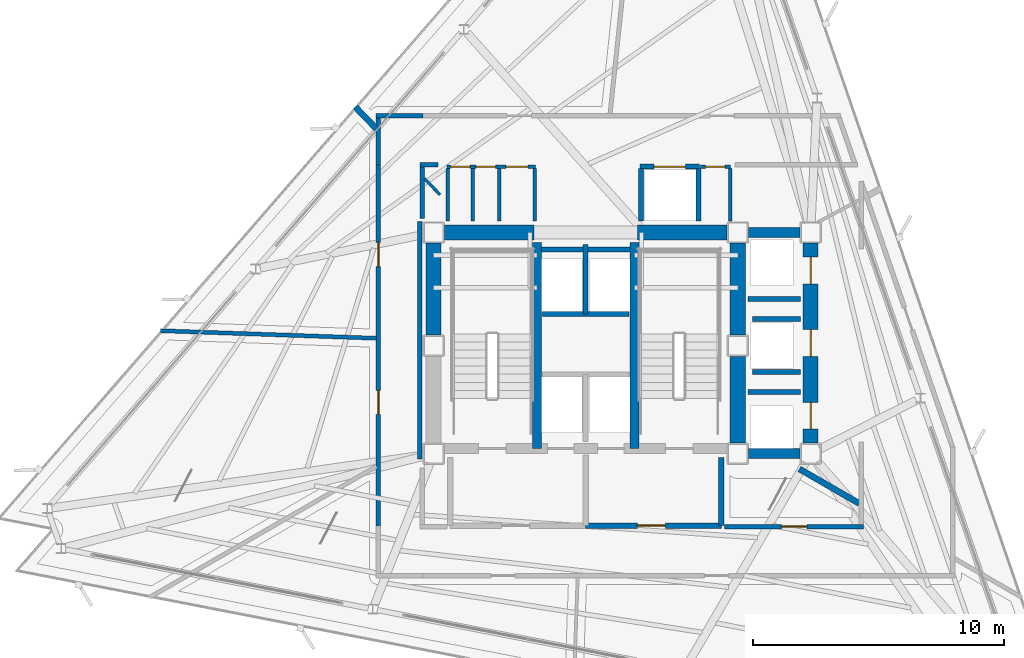
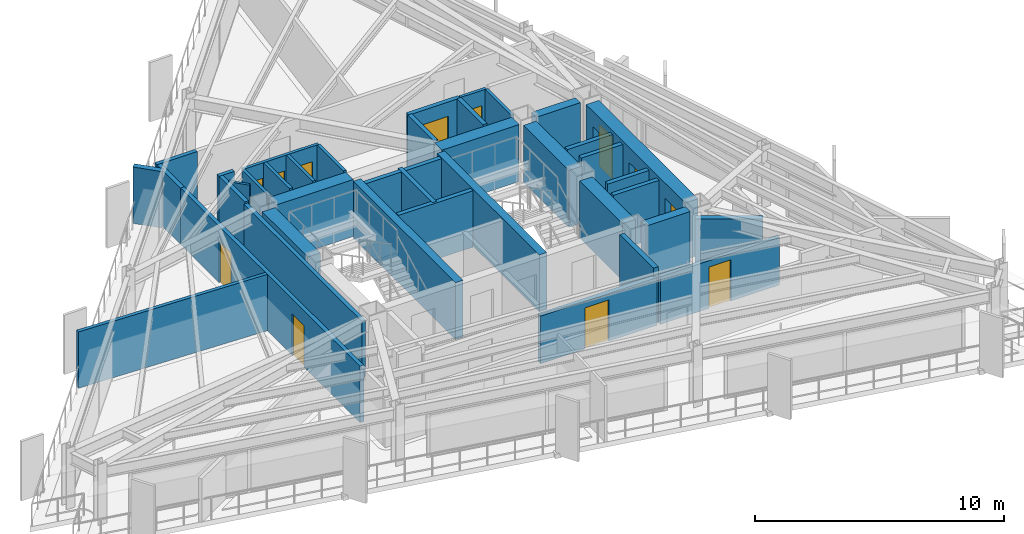
# One storey, part 9 of 13: 40 walls, 12 doors, 12 openings.
"""IFC4 building model written with IfcOpenShell, lengths in metres."""

from ifc_helpers import new_model, si_unit, direction, frame, frame_2d, origin, place, context, subcontext, project, spatial, rectangle, extrude, material, layer, layer_set, type_object, element, fill, save


model = new_model("IFC4")

# Units and contexts
model_context = context("Model", 3, precision=1e-05, world=origin(), true_north=direction((0.0, 1.0)))
body_context = subcontext(model_context, "Body", "Model", "MODEL_VIEW")
ifc_project = project(units=[si_unit("LENGTHUNIT", "METRE"), si_unit("AREAUNIT", "SQUARE_METRE"), si_unit("VOLUMEUNIT", "CUBIC_METRE"), si_unit("PLANEANGLEUNIT", "RADIAN"), si_unit("MASSUNIT", "GRAM", prefix="KILO")], contexts=[model_context])

# Site, building, storey
site_placement = place(None, origin())
site = spatial("IfcSite", under=ifc_project, at=site_placement, CompositionType="ELEMENT")
building_placement = place(site_placement, origin())
building = spatial("IfcBuilding", under=site, at=building_placement, Name="Rocaltana Carrier Exchange", CompositionType="ELEMENT")
storey_placement = place(building_placement, frame((0.0, 0.0, 162.39990234375)))
storey = spatial("IfcBuildingStorey", under=building, at=storey_placement, Name="L51", CompositionType="ELEMENT", Elevation=162.39990234375)

# Walls
ifc_material_1 = material(Name="Double Acoustic Gypsum Partition", Category="gypsum")
ifc_layer_1 = layer(ifc_material_1, 0.159912109375)
ifc_layer_set_1 = layer_set([ifc_layer_1], Name="Double Acoustic Gypsum Partition")
wall_type_1 = type_object("IfcWallType", Name="Acoustic Studio Partition 160 EI60", PredefinedType="PARTITIONING", material=ifc_layer_set_1)
wall_1_placement = place(storey_placement, frame((-8.330078125, 0.291015625, 0.0), z_axis=(0.0, 0.0, 1.0), x_axis=(-0.999390815976, 0.03489981294, 0.0)))
element("IfcWall", 1, at=wall_1_placement, inside=storey, type_object=wall_type_1, Name="L51 Suite Divider Wall D10", PredefinedType="PARTITIONING", context=body_context, shape_type="SweptSolid", body=[
    extrude(rectangle(XDim=8.59033203125, YDim=0.159912109375, at=frame_2d((4.295166015625, 0.0))), origin(), (0.0, 0.0, 1.0), 2.76318359375),
])
ifc_material_2 = material(Name="Concrete C50/60", Category="concrete")
ifc_layer_2 = layer(ifc_material_2, 0.35009765625)
ifc_layer_set_2 = layer_set([ifc_layer_2], Name="Concrete C50/60")
wall_type_2 = type_object("IfcWallType", Name="Core Internal Shear Wall 350", PredefinedType="SHEAR", material=ifc_layer_set_2)
for number, where, z_axis, x_axis, name in (
    (2, (-1.93994140625, -4.10009765625, 0.0), (0.0, 0.0, 1.0), (0.0, 1.0, 0.0), "L51 Core Shear Wall CW-STW"),
    (3, (1.93994140625, -4.10009765625, 0.0), (0.0, 0.0, 1.0), (0.0, 1.0, 0.0), "L51 Core Shear Wall CW-STE"),
):
    element("IfcWall", number, at=place(storey_placement, frame(where, z_axis=z_axis, x_axis=x_axis)), inside=storey, type_object=wall_type_2, Name=name, PredefinedType="SHEAR", context=body_context, shape_type="SweptSolid", body=[
        extrude(rectangle(XDim=8.2001953125, YDim=0.35009765625, at=frame_2d((4.10009765625, 0.0))), origin(), (0.0, 0.0, 1.0), 2.7880859375),
    ])
ifc_material_3 = material(Name="Concrete C50/60", Category="concrete")
ifc_layer_3 = layer(ifc_material_3, 0.39990234375)
ifc_layer_set_3 = layer_set([ifc_layer_3], Name="Concrete C50/60")
wall_type_3 = type_object("IfcWallType", Name="Core Internal Shear Wall 400", PredefinedType="SHEAR", material=ifc_layer_set_3)
for number, where, z_axis, x_axis, name in (
    (4, (6.47509765625, 4.5, 0.0), (0.0, 0.0, 1.0), (1.0, 0.0, 0.0), "L51 Core Shear Wall CW-EWN"),
    (5, (6.47509765625, -4.300048828125, 0.0), (0.0, 0.0, 1.0), (1.0, 0.0, 0.0), "L51 Core Shear Wall CW-EWS"),
):
    element("IfcWall", number, at=place(storey_placement, frame(where, z_axis=z_axis, x_axis=x_axis)), inside=storey, type_object=wall_type_3, Name=name, PredefinedType="SHEAR", context=body_context, shape_type="SweptSolid", body=[
        extrude(rectangle(XDim=2.0498046875, YDim=0.39990234375, at=frame_2d((1.02490234375, 0.0))), origin(), (0.0, 0.0, 1.0), 2.7880859375),
    ])
ifc_material_4 = material(Name="Concrete C50/60", Category="concrete")
ifc_layer_4 = layer(ifc_material_4, 0.60009765625)
ifc_layer_set_4 = layer_set([ifc_layer_4], Name="Concrete C50/60")
wall_type_4 = type_object("IfcWallType", Name="Core Shear Wall 600", PredefinedType="SHEAR", material=ifc_layer_set_4)
for number, where, z_axis, x_axis, name in (
    (6, (-6.050048828125, 0.425048828125, 0.0), (0.0, 0.0, 1.0), (0.0, 1.0, 0.0), "L51 Core Shear Wall CW-WN"),
    (7, (6.050048828125, 0.425048828125, 0.0), (0.0, 0.0, 1.0), (0.0, 1.0, 0.0), "L51 Core Shear Wall CW-EN"),
):
    element("IfcWall", number, at=place(storey_placement, frame(where, z_axis=z_axis, x_axis=x_axis)), inside=storey, type_object=wall_type_4, Name=name, PredefinedType="SHEAR", context=body_context, shape_type="SweptSolid", body=[
        extrude(rectangle(XDim=3.64990234375, YDim=0.60009765625, at=frame_2d((1.824951171875, 0.0))), origin(), (0.0, 0.0, 1.0), 2.7880859375),
    ])
wall_2_placement = place(storey_placement, frame((6.050048828125, -3.875, 0.0), z_axis=(0.0, 0.0, 1.0), x_axis=(0.0, 1.0, 0.0)))
element("IfcWall", 8, at=wall_2_placement, inside=storey, type_object=wall_type_4, Name="L51 Core Shear Wall CW-ES", PredefinedType="SHEAR", context=body_context, shape_type="SweptSolid", body=[
    extrude(rectangle(XDim=3.449951171875, YDim=0.60009765625, at=frame_2d((1.72509765625, 0.0))), origin(), (0.0, 0.0, 1.0), 2.7880859375),
])
for number, where, z_axis, x_axis, name in (
    (9, (-5.625, 4.5, 0.0), (0.0, 0.0, 1.0), (1.0, 0.0, 0.0), "L51 Core Shear Wall CW-N1"),
    (10, (2.050048828125, 4.5, 0.0), (0.0, 0.0, 1.0), (1.0, 0.0, 0.0), "L51 Core Shear Wall CW-N2"),
):
    element("IfcWall", number, at=place(storey_placement, frame(where, z_axis=z_axis, x_axis=x_axis)), inside=storey, type_object=wall_type_4, Name=name, PredefinedType="SHEAR", context=body_context, shape_type="SweptSolid", body=[
        extrude(rectangle(XDim=3.574951171875, YDim=0.60009765625, at=frame_2d((1.78759765625, 0.0))), origin(), (0.0, 0.0, 1.0), 2.7880859375),
    ])

# Wall, openings, doors
wall_3_placement = place(storey_placement, frame((8.949951171875, -3.875, 0.0), z_axis=(0.0, 0.0, 1.0), x_axis=(0.0, 1.0, 0.0)))
wall_3 = element("IfcWall", 11, at=wall_3_placement, inside=storey, type_object=wall_type_4, Name="L51 Core Shear Wall CW-EW", PredefinedType="SHEAR", context=body_context, shape_type="SweptSolid", body=[
    extrude(rectangle(XDim=7.949951171875, YDim=0.60009765625, at=frame_2d((3.97509765625, 0.0))), origin(), (0.0, 0.0, 1.0), 2.7880859375),
])
opening_1_placement = place(wall_3_placement, frame((0.550048828125, 0.0, 0.0)))
opening_1 = element("IfcOpeningElement", 12, at=opening_1_placement, cuts=wall_3, Name="Opening LD-110", PredefinedType="OPENING", context=body_context, shape_type="SweptSolid", body=[
    extrude(rectangle(XDim=1.06005859375, YDim=2.0400390625, at=frame_2d((0.530029296875, 1.02001953125))), frame((0.0, 0.31005859375, 0.0), z_axis=(0.0, -1.0, 0.0), x_axis=(1.0, 0.0, 0.0)), (0.0, 0.0, 1.0), 0.6201171875),
])
opening_2_placement = place(wall_3_placement, frame((3.445068359375, 0.0, 0.0)))
opening_2 = element("IfcOpeningElement", 13, at=opening_2_placement, cuts=wall_3, Name="Opening LD-110", PredefinedType="OPENING", context=body_context, shape_type="SweptSolid", body=[
    extrude(rectangle(XDim=1.06005859375, YDim=2.0400390625, at=frame_2d((0.530029296875, 1.02001953125))), frame((0.0, 0.31005859375, 0.0), z_axis=(0.0, -1.0, 0.0), x_axis=(1.0, 0.0, 0.0)), (0.0, 0.0, 1.0), 0.6201171875),
])
opening_3_placement = place(wall_3_placement, frame((6.330078125, 0.0, 0.0)))
opening_3 = element("IfcOpeningElement", 14, at=opening_3_placement, cuts=wall_3, Name="Opening LD-110", PredefinedType="OPENING", context=body_context, shape_type="SweptSolid", body=[
    extrude(rectangle(XDim=1.06005859375, YDim=2.0400390625, at=frame_2d((0.530029296875, 1.02001953125))), frame((0.0, 0.31005859375, 0.0), z_axis=(0.0, -1.0, 0.0), x_axis=(1.0, 0.0, 0.0)), (0.0, 0.0, 1.0), 0.6201171875),
])
ifc_material_5 = material(Name="Brushed Stainless Sliding Door Leaf", Category="steel")
door_type_1 = type_object("IfcDoorType", Name="Lift Landing Sliding Door 1060x2040", OperationType="NOTDEFINED", PredefinedType="DOOR", material=ifc_material_5)
door_1_placement = place(opening_1_placement, origin())
door_1 = element("IfcDoor", 15, at=door_1_placement, inside=storey, type_object=door_type_1, Name="L51 Mid-Rise Lift PL-M1 Landing Door", OperationType="SLIDING_TO_LEFT", OverallHeight=2.0400390625, OverallWidth=1.06005859375, PredefinedType="DOOR", context=body_context, shape_type="SweptSolid", body=[
    extrude(rectangle(XDim=1.06005859375, YDim=2.0400390625, at=frame_2d((0.530029296875, 1.02001953125))), frame((0.0, 0.02490234375, 0.0), z_axis=(0.0, -1.0, 0.0), x_axis=(1.0, 0.0, 0.0)), (0.0, 0.0, 1.0), 0.050048828125),
])
fill(opening_1, door_1)
door_2_placement = place(opening_2_placement, origin())
door_2 = element("IfcDoor", 16, at=door_2_placement, inside=storey, type_object=door_type_1, Name="L51 Mid-Rise Lift PL-M2 Landing Door", OperationType="SLIDING_TO_RIGHT", OverallHeight=2.0400390625, OverallWidth=1.06005859375, PredefinedType="DOOR", context=body_context, shape_type="SweptSolid", body=[
    extrude(rectangle(XDim=1.06005859375, YDim=2.0400390625, at=frame_2d((0.530029296875, 1.02001953125))), frame((0.0, 0.02490234375, 0.0), z_axis=(0.0, -1.0, 0.0), x_axis=(1.0, 0.0, 0.0)), (0.0, 0.0, 1.0), 0.050048828125),
])
fill(opening_2, door_2)
door_3_placement = place(opening_3_placement, origin())
door_3 = element("IfcDoor", 17, at=door_3_placement, inside=storey, type_object=door_type_1, Name="L51 Mid-Rise Lift PL-M3 Landing Door", OperationType="SLIDING_TO_LEFT", OverallHeight=2.0400390625, OverallWidth=1.06005859375, PredefinedType="DOOR", context=body_context, shape_type="SweptSolid", body=[
    extrude(rectangle(XDim=1.06005859375, YDim=2.0400390625, at=frame_2d((0.530029296875, 1.02001953125))), frame((0.0, 0.02490234375, 0.0), z_axis=(0.0, -1.0, 0.0), x_axis=(1.0, 0.0, 0.0)), (0.0, 0.0, 1.0), 0.050048828125),
])
fill(opening_3, door_3)

ifc_material_6 = material(Name="Gypsum & Steel Stud Partition", Category="steel")
ifc_layer_5 = layer(ifc_material_6, 0.179931640625)
ifc_layer_set_5 = layer_set([ifc_layer_5], Name="Gypsum & Steel Stud Partition")
wall_type_5 = type_object("IfcWallType", Name="Corridor Fire Partition 180 EI60", PredefinedType="PARTITIONING", material=ifc_layer_set_5)
wall_4_placement = place(storey_placement, frame((-8.25, -7.219970703125, 0.0), z_axis=(0.0, 0.0, 1.0), x_axis=(0.0, 1.0, 0.0)))
wall_4 = element("IfcWall", 18, at=wall_4_placement, inside=storey, type_object=wall_type_5, Name="L51 Corridor Partition 3", PredefinedType="PARTITIONING", context=body_context, shape_type="SweptSolid", body=[
    extrude(rectangle(XDim=14.43994140625, YDim=0.179931640625, at=frame_2d((7.219970703125, 0.0))), origin(), (0.0, 0.0, 1.0), 2.76318359375),
])
opening_4_placement = place(wall_4_placement, frame((4.478271484375, 0.0, 0.0)))
opening_4 = element("IfcOpeningElement", 19, at=opening_4_placement, cuts=wall_4, Name="Opening D-RM098", PredefinedType="OPENING", context=body_context, shape_type="SweptSolid", body=[
    extrude(rectangle(XDim=0.9599609375, YDim=2.02001953125, at=frame_2d((0.47998046875, 1.010009765625))), frame((0.0, 0.099853515625, 0.0), z_axis=(0.0, -1.0, 0.0), x_axis=(1.0, 0.0, 0.0)), (0.0, 0.0, 1.0), 0.199951171875),
])
opening_5_placement = place(wall_4_placement, frame((10.365234375, 0.0, 0.0)))
opening_5 = element("IfcOpeningElement", 20, at=opening_5_placement, cuts=wall_4, Name="Opening D-RM098", PredefinedType="OPENING", context=body_context, shape_type="SweptSolid", body=[
    extrude(rectangle(XDim=0.9599609375, YDim=2.02001953125, at=frame_2d((0.47998046875, 1.010009765625))), frame((0.0, 0.099853515625, 0.0), z_axis=(0.0, -1.0, 0.0), x_axis=(1.0, 0.0, 0.0)), (0.0, 0.0, 1.0), 0.199951171875),
])
ifc_material_7 = material(Name="Engineered Hardwood Timber", Category="wood")
door_type_2 = type_object("IfcDoorType", Name="Workspace Single Door 960x2020", OperationType="NOTDEFINED", PredefinedType="DOOR", material=ifc_material_7)
door_4_placement = place(opening_4_placement, origin())
door_4 = element("IfcDoor", 21, at=door_4_placement, inside=storey, type_object=door_type_2, Name="L51 Quiet Focus Lounge Entrance Door", OperationType="SINGLE_SWING_RIGHT", OverallHeight=2.02001953125, OverallWidth=0.9599609375, PredefinedType="DOOR", context=body_context, shape_type="SweptSolid", body=[
    extrude(rectangle(XDim=0.9599609375, YDim=2.02001953125, at=frame_2d((0.47998046875, 1.010009765625))), frame((0.0, 0.02490234375, 0.0), z_axis=(0.0, -1.0, 0.0), x_axis=(1.0, 0.0, 0.0)), (0.0, 0.0, 1.0), 0.050048828125),
])
fill(opening_4, door_4)
door_5_placement = place(opening_5_placement, origin())
door_5 = element("IfcDoor", 22, at=door_5_placement, inside=storey, type_object=door_type_2, Name="L51 Quiet Focus Lounge Entrance Door", OperationType="SINGLE_SWING_LEFT", OverallHeight=2.02001953125, OverallWidth=0.9599609375, PredefinedType="DOOR", context=body_context, shape_type="SweptSolid", body=[
    extrude(rectangle(XDim=0.9599609375, YDim=2.02001953125, at=frame_2d((0.47998046875, 1.010009765625))), frame((0.0, 0.02490234375, 0.0), z_axis=(0.0, -1.0, 0.0), x_axis=(1.0, 0.0, 0.0)), (0.0, 0.0, 1.0), 0.050048828125),
])
fill(opening_5, door_5)

# Walls
wall_5_placement = place(storey_placement, frame((-8.25, 7.179931640625, 0.0), z_axis=(0.0, 0.0, 1.0), x_axis=(0.0, 1.0, 0.0)))
element("IfcWall", 23, at=wall_5_placement, inside=storey, type_object=wall_type_5, Name="L51 Corridor Partition 4", PredefinedType="PARTITIONING", context=body_context, shape_type="SweptSolid", body=[
    extrude(rectangle(XDim=1.880126953125, YDim=0.179931640625, at=frame_2d((0.93994140625, 0.0))), origin(), (0.0, 0.0, 1.0), 2.76318359375),
])
wall_6_placement = place(storey_placement, frame((-8.340087890625, 9.14990234375, 0.0), z_axis=(0.0, 0.0, 1.0), x_axis=(1.0, 0.0, 0.0)))
element("IfcWall", 24, at=wall_6_placement, inside=storey, type_object=wall_type_5, Name="L51 Corridor Partition 5", PredefinedType="PARTITIONING", context=body_context, shape_type="SweptSolid", body=[
    extrude(rectangle(XDim=1.860107421875, YDim=0.179931640625, at=frame_2d((0.93017578125, 0.0))), origin(), (0.0, 0.0, 1.0), 2.76318359375),
])
wall_7_placement = place(storey_placement, frame((-5.8798828125, 7.199951171875, 0.0), z_axis=(0.0, 0.0, 1.0), x_axis=(-1.0, 0.0, 0.0)))
element("IfcWall", 25, at=wall_7_placement, inside=storey, type_object=wall_type_5, Name="L51 Corridor Partition 9", PredefinedType="PARTITIONING", context=body_context, shape_type="SweptSolid", body=[
    extrude(rectangle(XDim=0.710205078125, YDim=0.179931640625, at=frame_2d((0.35498046875, 0.0))), origin(), (0.0, 0.0, 1.0), 2.76318359375),
])
wall_8_placement = place(storey_placement, frame((-6.5, 7.110107421875, 0.0), z_axis=(0.0, 0.0, 1.0), x_axis=(0.0, -1.0, 0.0)))
element("IfcWall", 26, at=wall_8_placement, inside=storey, type_object=wall_type_5, Name="L51 Corridor Partition 10", PredefinedType="PARTITIONING", context=body_context, shape_type="SweptSolid", body=[
    extrude(rectangle(XDim=2.058349609375, YDim=0.179931640625, at=frame_2d((1.029296875, 0.0))), origin(), (0.0, 0.0, 1.0), 2.76318359375),
])
wall_9_placement = place(storey_placement, frame((-6.610107421875, 4.93994140625, 0.0), z_axis=(0.0, 0.0, 1.0), x_axis=(0.0, -1.0, 0.0)))
element("IfcWall", 27, at=wall_9_placement, inside=storey, type_object=wall_type_5, Name="L51 Corridor Partition 11", PredefinedType="PARTITIONING", context=body_context, shape_type="SweptSolid", body=[
    extrude(rectangle(XDim=9.4599609375, YDim=0.179931640625, at=frame_2d((4.72998046875, 0.0))), origin(), (0.0, 0.0, 1.0), 2.76318359375),
])

# Wall, opening, door
wall_10_placement = place(storey_placement, frame((5.530029296875, -7.199951171875, 0.0), z_axis=(0.0, 0.0, 1.0), x_axis=(1.0, 0.0, 0.0)))
wall_10 = element("IfcWall", 28, at=wall_10_placement, inside=storey, type_object=wall_type_5, Name="L51 Corridor Partition 14", PredefinedType="PARTITIONING", context=body_context, shape_type="SweptSolid", body=[
    extrude(rectangle(XDim=5.52001953125, YDim=0.179931640625, at=frame_2d((2.760009765625, 0.0))), origin(), (0.0, 0.0, 1.0), 2.330078125),
])
opening_6_placement = place(wall_10_placement, frame((2.25, 0.0, 0.0)))
opening_6 = element("IfcOpeningElement", 29, at=opening_6_placement, cuts=wall_10, Name="Opening D-LB104", PredefinedType="OPENING", context=body_context, shape_type="SweptSolid", body=[
    extrude(rectangle(XDim=1.02001953125, YDim=2.02001953125, at=frame_2d((0.510009765625, 1.010009765625))), frame((0.0, 0.099853515625, 0.0), z_axis=(0.0, -1.0, 0.0), x_axis=(1.0, 0.0, 0.0)), (0.0, 0.0, 1.0), 0.199951171875),
])
ifc_material_8 = material(Name="Powder-Coated Aluminium 6063-T6", Category="aluminium")
door_type_3 = type_object("IfcDoorType", Name="Laboratory Acoustic Door 1020x2020", OperationType="NOTDEFINED", PredefinedType="DOOR", material=ifc_material_8)
door_6_placement = place(opening_6_placement, origin())
door_6 = element("IfcDoor", 30, at=door_6_placement, inside=storey, type_object=door_type_3, Name="L51 Optical Switching Laboratory Entrance Door", OperationType="SINGLE_SWING_LEFT", OverallHeight=2.02001953125, OverallWidth=1.02001953125, PredefinedType="DOOR", context=body_context, shape_type="SweptSolid", body=[
    extrude(rectangle(XDim=1.02001953125, YDim=2.02001953125, at=frame_2d((0.510009765625, 1.010009765625))), frame((0.0, 0.02490234375, 0.0), z_axis=(0.0, -1.0, 0.0), x_axis=(1.0, 0.0, 0.0)), (0.0, 0.0, 1.0), 0.050048828125),
])
fill(opening_6, door_6)

# Walls
ifc_material_9 = material(Name="Aluminium 6063-T6 & Acoustic Glass", Category="aluminium")
ifc_layer_6 = layer(ifc_material_9, 0.114990234375)
ifc_layer_set_6 = layer_set([ifc_layer_6], Name="Aluminium 6063-T6 & Acoustic Glass")
wall_type_6 = type_object("IfcWallType", Name="Demountable Glazed Lab Partition 115", PredefinedType="MOVABLE", material=ifc_layer_set_6)
wall_11_placement = place(storey_placement, frame((-5.800048828125, 6.006103515625, 0.0), z_axis=(0.0, 0.0, 1.0), x_axis=(-0.694550575615, 0.719443881003, 0.0)))
element("IfcWall", 31, at=wall_11_placement, inside=storey, type_object=wall_type_6, Name="L51 Suite Divider Wall D8", PredefinedType="MOVABLE", context=body_context, shape_type="SweptSolid", body=[
    extrude(rectangle(XDim=0.892578125, YDim=0.114990234375, at=frame_2d((0.4462890625, 0.0))), origin(), (0.0, 0.0, 1.0), 2.76318359375),
])
ifc_material_10 = material(Name="Autoclaved Aerated Concrete C30/37", Category="concrete")
ifc_layer_7 = layer(ifc_material_10, 0.219970703125)
ifc_layer_set_7 = layer_set([ifc_layer_7], Name="Autoclaved Aerated Concrete C30/37")
wall_type_7 = type_object("IfcWallType", Name="Firefighting Lobby Wall 220 EI120", PredefinedType="PARTITIONING", material=ifc_layer_set_7)
wall_12_placement = place(storey_placement, frame((5.39990234375, -7.159912109375, 0.0), z_axis=(0.0, 0.0, 1.0), x_axis=(0.0, 1.0, 0.0)))
element("IfcWall", 32, at=wall_12_placement, inside=storey, type_object=wall_type_7, Name="L51 FFL Lobby 2 East Wall", PredefinedType="PARTITIONING", context=body_context, shape_type="SweptSolid", body=[
    extrude(rectangle(XDim=2.7099609375, YDim=0.219970703125, at=frame_2d((1.35498046875, 0.0))), origin(), (0.0, 0.0, 1.0), 2.76318359375),
])

# Wall, opening, door
wall_13_placement = place(storey_placement, frame((0.0, -7.159912109375, 0.0), z_axis=(0.0, 0.0, 1.0), x_axis=(1.0, 0.0, 0.0)))
wall_13 = element("IfcWall", 33, at=wall_13_placement, inside=storey, type_object=wall_type_7, Name="L51 FFL Lobby 2 South Wall", PredefinedType="PARTITIONING", context=body_context, shape_type="SweptSolid", body=[
    extrude(rectangle(XDim=5.39990234375, YDim=0.219970703125, at=frame_2d((2.699951171875, 0.0))), origin(), (0.0, 0.0, 1.0), 2.330078125),
])
opening_7_placement = place(wall_13_placement, frame((2.050048828125, 0.0, 0.0)))
opening_7 = element("IfcOpeningElement", 34, at=opening_7_placement, cuts=wall_13, Name="Opening D-FF115", PredefinedType="OPENING", context=body_context, shape_type="SweptSolid", body=[
    extrude(rectangle(XDim=1.1201171875, YDim=2.02001953125, at=frame_2d((0.56005859375, 1.010009765625))), frame((0.0, 0.119873046875, 0.0), z_axis=(0.0, -1.0, 0.0), x_axis=(1.0, 0.0, 0.0)), (0.0, 0.0, 1.0), 0.239990234375),
])
ifc_material_11 = material(Name="Hollow Metal Fire Door Assembly", Category="steel")
door_type_4 = type_object("IfcDoorType", Name="Firefighting Lobby Door 1120x2020 FD60S", OperationType="NOTDEFINED", PredefinedType="DOOR", material=ifc_material_11)
door_7_placement = place(opening_7_placement, origin())
door_7 = element("IfcDoor", 35, at=door_7_placement, inside=storey, type_object=door_type_4, Name="L51 Firefighting Lift Lobby 2 Door", OperationType="SINGLE_SWING_LEFT", OverallHeight=2.02001953125, OverallWidth=1.1201171875, PredefinedType="DOOR", context=body_context, shape_type="SweptSolid", body=[
    extrude(rectangle(XDim=1.1201171875, YDim=2.02001953125, at=frame_2d((0.56005859375, 1.010009765625))), frame((0.0, 0.02490234375, 0.0), z_axis=(0.0, -1.0, 0.0), x_axis=(1.0, 0.0, 0.0)), (0.0, 0.0, 1.0), 0.050048828125),
])
fill(opening_7, door_7)

# Walls
ifc_material_12 = material(Name="Acoustic Calcium Silicate Partition", Category="gypsum")
ifc_layer_8 = layer(ifc_material_12, 0.239990234375)
ifc_layer_set_8 = layer_set([ifc_layer_8], Name="Acoustic Calcium Silicate Partition")
wall_type_8 = type_object("IfcWallType", Name="Heavy Lab Partition 240 EI90", PredefinedType="PARTITIONING", material=ifc_layer_set_8)
wall_14_placement = place(storey_placement, frame((8.50439453125, -4.909912109375, 0.0), z_axis=(0.0, 0.0, 1.0), x_axis=(0.866010685746, -0.500025491523, 0.0)))
element("IfcWall", 36, at=wall_14_placement, inside=storey, type_object=wall_type_8, Name="L51 Suite Divider Wall D3", PredefinedType="PARTITIONING", context=body_context, shape_type="SweptSolid", body=[
    extrude(rectangle(XDim=2.742919921875, YDim=0.239990234375, at=frame_2d((1.37158203125, 0.0))), origin(), (0.0, 0.0, 1.0), 2.76318359375),
])
wall_15_placement = place(storey_placement, frame((-8.330078125, 8.6259765625, 0.0), z_axis=(0.0, 0.0, 1.0), x_axis=(-0.694612484143, 0.719384109411, 0.0)))
element("IfcWall", 37, at=wall_15_placement, inside=storey, type_object=wall_type_8, Name="L51 Suite Divider Wall D9", PredefinedType="PARTITIONING", context=body_context, shape_type="SweptSolid", body=[
    extrude(rectangle(XDim=1.212158203125, YDim=0.239990234375, at=frame_2d((0.60595703125, 0.0))), origin(), (0.0, 0.0, 1.0), 2.76318359375),
])
ifc_material_13 = material(Name="Reinforced Concrete Block C35/45", Category="concrete")
ifc_layer_9 = layer(ifc_material_13, 0.199951171875)
ifc_layer_set_9 = layer_set([ifc_layer_9], Name="Reinforced Concrete Block C35/45")
wall_type_9 = type_object("IfcWallType", Name="Lift Hoistway Enclosure Wall 200 EI120", PredefinedType="PARTITIONING", material=ifc_layer_set_9)
wall_16_placement = place(storey_placement, frame((0.0, 1.25, 0.0), z_axis=(0.0, 0.0, 1.0), x_axis=(0.0, 1.0, 0.0)))
element("IfcWall", 38, at=wall_16_placement, inside=storey, type_object=wall_type_9, Name="L51 High-Rise Shaft Divider", PredefinedType="PARTITIONING", context=body_context, shape_type="SweptSolid", body=[
    extrude(rectangle(XDim=2.77001953125, YDim=0.199951171875, at=frame_2d((1.385009765625, 0.0))), origin(), (0.0, 0.0, 1.0), 2.76318359375),
])
wall_17_placement = place(storey_placement, frame((-1.719970703125, 1.25, 0.0), z_axis=(0.0, 0.0, 1.0), x_axis=(1.0, 0.0, 0.0)))
element("IfcWall", 39, at=wall_17_placement, inside=storey, type_object=wall_type_9, Name="L51 High-Rise Shaft Back Wall", PredefinedType="PARTITIONING", context=body_context, shape_type="SweptSolid", body=[
    extrude(rectangle(XDim=3.43994140625, YDim=0.199951171875, at=frame_2d((1.719970703125, 0.0))), origin(), (0.0, 0.0, 1.0), 2.76318359375),
])
wall_18_placement = place(storey_placement, frame((-1.760009765625, 3.820068359375, 0.0), z_axis=(0.0, 0.0, 1.0), x_axis=(1.0, 0.0, 0.0)))
element("IfcWall", 40, at=wall_18_placement, inside=storey, type_object=wall_type_9, Name="L51 High-Rise Lift Front Wall", PredefinedType="PARTITIONING", context=body_context, shape_type="SweptSolid", body=[
    extrude(rectangle(XDim=3.52001953125, YDim=0.199951171875, at=frame_2d((1.760009765625, 0.0))), origin(), (0.0, 0.0, 1.0), 2.76318359375),
])
for number, where, z_axis, x_axis, name in (
    (41, (2.199951171875, 4.949951171875, 0.0), (0.0, 0.0, 1.0), (0.0, 1.0, 0.0), "L51 Goods Lift West Wall"),
    (42, (4.47998046875, 4.949951171875, 0.0), (0.0, 0.0, 1.0), (0.0, 1.0, 0.0), "L51 Goods Lift East Wall"),
):
    element("IfcWall", number, at=place(storey_placement, frame(where, z_axis=z_axis, x_axis=x_axis)), inside=storey, type_object=wall_type_9, Name=name, PredefinedType="PARTITIONING", context=body_context, shape_type="SweptSolid", body=[
        extrude(rectangle(XDim=2.10009765625, YDim=0.199951171875, at=frame_2d((1.050048828125, 0.0))), origin(), (0.0, 0.0, 1.0), 2.76318359375),
    ])

# Wall, opening, door
wall_19_placement = place(storey_placement, frame((2.14990234375, 7.1201171875, 0.0), z_axis=(0.0, 0.0, 1.0), x_axis=(1.0, 0.0, 0.0)))
wall_19 = element("IfcWall", 43, at=wall_19_placement, inside=storey, type_object=wall_type_9, Name="L51 Goods Lift Front Wall", PredefinedType="PARTITIONING", context=body_context, shape_type="SweptSolid", body=[
    extrude(rectangle(XDim=2.380126953125, YDim=0.199951171875, at=frame_2d((1.18994140625, 0.0))), origin(), (0.0, 0.0, 1.0), 2.76318359375),
])
opening_8_placement = place(wall_19_placement, frame((0.56005859375, 0.0, 0.0)))
opening_8 = element("IfcOpeningElement", 44, at=opening_8_placement, cuts=wall_19, Name="Opening LD-130", PredefinedType="OPENING", context=body_context, shape_type="SweptSolid", body=[
    extrude(rectangle(XDim=1.260009765625, YDim=2.06005859375, at=frame_2d((0.6298828125, 1.030029296875))), frame((0.0, 0.10986328125, 0.0), z_axis=(0.0, -1.0, 0.0), x_axis=(1.0, 0.0, 0.0)), (0.0, 0.0, 1.0), 0.219970703125),
])
ifc_material_14 = material(Name="Brushed Stainless Sliding Door Leaf", Category="steel")
door_type_5 = type_object("IfcDoorType", Name="Goods Lift Landing Sliding Door 1260x2060", OperationType="NOTDEFINED", PredefinedType="DOOR", material=ifc_material_14)
door_8_placement = place(opening_8_placement, origin())
door_8 = element("IfcDoor", 45, at=door_8_placement, inside=storey, type_object=door_type_5, Name="L51 Goods Lift GL-1 Landing Door", OperationType="SLIDING_TO_LEFT", OverallHeight=2.06005859375, OverallWidth=1.260009765625, PredefinedType="DOOR", context=body_context, shape_type="SweptSolid", body=[
    extrude(rectangle(XDim=1.260009765625, YDim=2.06005859375, at=frame_2d((0.6298828125, 1.030029296875))), frame((0.0, 0.02490234375, 0.0), z_axis=(0.0, -1.0, 0.0), x_axis=(1.0, 0.0, 0.0)), (0.0, 0.0, 1.0), 0.050048828125),
])
fill(opening_8, door_8)

# Walls
for number, where, z_axis, x_axis, name in (
    (46, (6.449951171875, -1.85009765625, 0.0), (0.0, 0.0, 1.0), (1.0, 0.0, 0.0), "L51 Mid-Rise Shaft Divider 1"),
    (47, (6.449951171875, 1.85009765625, 0.0), (0.0, 0.0, 1.0), (1.0, 0.0, 0.0), "L51 Mid-Rise Shaft Divider 2"),
):
    element("IfcWall", number, at=place(storey_placement, frame(where, z_axis=z_axis, x_axis=x_axis)), inside=storey, type_object=wall_type_9, Name=name, PredefinedType="PARTITIONING", context=body_context, shape_type="SweptSolid", body=[
        extrude(rectangle(XDim=2.10009765625, YDim=0.199951171875, at=frame_2d((1.050048828125, 0.0))), origin(), (0.0, 0.0, 1.0), 2.76318359375),
    ])
for number, where, z_axis, x_axis, name in (
    (48, (6.639892578125, -1.050048828125, 0.0), (0.0, 0.0, 1.0), (1.0, 0.0, 0.0), "L51 Mid-Rise Center Shaft Wall South"),
    (49, (6.639892578125, 1.050048828125, 0.0), (0.0, 0.0, 1.0), (1.0, 0.0, 0.0), "L51 Mid-Rise Center Shaft Wall North"),
):
    element("IfcWall", number, at=place(storey_placement, frame(where, z_axis=z_axis, x_axis=x_axis)), inside=storey, type_object=wall_type_9, Name=name, PredefinedType="PARTITIONING", context=body_context, shape_type="SweptSolid", body=[
        extrude(rectangle(XDim=1.91015625, YDim=0.199951171875, at=frame_2d((0.955078125, 0.0))), origin(), (0.0, 0.0, 1.0), 2.76318359375),
    ])
ifc_material_15 = material(Name="Moisture-Resistant Masonry C30/37", Category="masonry")
ifc_layer_10 = layer(ifc_material_15, 0.139892578125)
ifc_layer_set_10 = layer_set([ifc_layer_10], Name="Moisture-Resistant Masonry C30/37")
wall_type_10 = type_object("IfcWallType", Name="Wet-Area Sanitary Partition 140", PredefinedType="PARTITIONING", material=ifc_layer_set_10)
for number, where, z_axis, x_axis, name in (
    (50, (-5.5, 4.949951171875, 0.0), (0.0, 0.0, 1.0), (0.0, 1.0, 0.0), "L51 Sanitary West Wall"),
    (51, (-4.5, 4.949951171875, 0.0), (0.0, 0.0, 1.0), (0.0, 1.0, 0.0), "L51 Sanitary Divider 1"),
    (52, (-3.449951171875, 4.949951171875, 0.0), (0.0, 0.0, 1.0), (0.0, 1.0, 0.0), "L51 Sanitary Divider 2"),
    (53, (-2.02001953125, 4.949951171875, 0.0), (0.0, 0.0, 1.0), (0.0, 1.0, 0.0), "L51 Sanitary East Wall"),
):
    element("IfcWall", number, at=place(storey_placement, frame(where, z_axis=z_axis, x_axis=x_axis)), inside=storey, type_object=wall_type_10, Name=name, PredefinedType="PARTITIONING", context=body_context, shape_type="SweptSolid", body=[
        extrude(rectangle(XDim=2.10009765625, YDim=0.139892578125, at=frame_2d((1.050048828125, 0.0))), origin(), (0.0, 0.0, 1.0), 2.76318359375),
    ])

# Wall, openings, doors
wall_20_placement = place(storey_placement, frame((-5.52001953125, 7.1201171875, 0.0), z_axis=(0.0, 0.0, 1.0), x_axis=(1.0, 0.0, 0.0)))
wall_20 = element("IfcWall", 54, at=wall_20_placement, inside=storey, type_object=wall_type_10, Name="L51 Sanitary North Wall", PredefinedType="PARTITIONING", context=body_context, shape_type="SweptSolid", body=[
    extrude(rectangle(XDim=3.52001953125, YDim=0.139892578125, at=frame_2d((1.760009765625, 0.0))), origin(), (0.0, 0.0, 1.0), 2.76318359375),
])
opening_9_placement = place(wall_20_placement, frame((0.139892578125, 0.0, 0.0)))
opening_9 = element("IfcOpeningElement", 55, at=opening_9_placement, cuts=wall_20, Name="Opening D-RS082", PredefinedType="OPENING", context=body_context, shape_type="SweptSolid", body=[
    extrude(rectangle(XDim=0.780029296875, YDim=2.010009765625, at=frame_2d((0.39013671875, 1.0048828125))), frame((0.0, 0.079833984375, 0.0), z_axis=(0.0, -1.0, 0.0), x_axis=(1.0, 0.0, 0.0)), (0.0, 0.0, 1.0), 0.159912109375),
])
opening_10_placement = place(wall_20_placement, frame((1.14990234375, 0.0, 0.0)))
opening_10 = element("IfcOpeningElement", 56, at=opening_10_placement, cuts=wall_20, Name="Opening D-RS082", PredefinedType="OPENING", context=body_context, shape_type="SweptSolid", body=[
    extrude(rectangle(XDim=0.780029296875, YDim=2.010009765625, at=frame_2d((0.39013671875, 1.0048828125))), frame((0.0, 0.079833984375, 0.0), z_axis=(0.0, -1.0, 0.0), x_axis=(1.0, 0.0, 0.0)), (0.0, 0.0, 1.0), 0.159912109375),
])
opening_11_placement = place(wall_20_placement, frame((2.340087890625, 0.0, 0.0)))
opening_11 = element("IfcOpeningElement", 57, at=opening_11_placement, cuts=wall_20, Name="Opening D-WC090", PredefinedType="OPENING", context=body_context, shape_type="SweptSolid", body=[
    extrude(rectangle(XDim=0.8798828125, YDim=2.02001953125, at=frame_2d((0.43994140625, 1.010009765625))), frame((0.0, 0.079833984375, 0.0), z_axis=(0.0, -1.0, 0.0), x_axis=(1.0, 0.0, 0.0)), (0.0, 0.0, 1.0), 0.159912109375),
])
ifc_material_16 = material(Name="High-Pressure Laminate Timber", Category="wood")
door_type_6 = type_object("IfcDoorType", Name="Restroom & Accessible WC Door 880x2020", OperationType="NOTDEFINED", PredefinedType="DOOR", material=ifc_material_16)
door_9_placement = place(opening_11_placement, origin())
door_9 = element("IfcDoor", 58, at=door_9_placement, inside=storey, type_object=door_type_6, Name="L51 Accessible Toilet Door", OperationType="SINGLE_SWING_RIGHT", OverallHeight=2.02001953125, OverallWidth=0.8798828125, PredefinedType="DOOR", context=body_context, shape_type="SweptSolid", body=[
    extrude(rectangle(XDim=0.8798828125, YDim=2.02001953125, at=frame_2d((0.43994140625, 1.010009765625))), frame((0.0, 0.02490234375, 0.0), z_axis=(0.0, -1.0, 0.0), x_axis=(1.0, 0.0, 0.0)), (0.0, 0.0, 1.0), 0.050048828125),
])
fill(opening_11, door_9)
ifc_material_17 = material(Name="Hollow Metal Access Door Leaf", Category="steel")
door_type_7 = type_object("IfcDoorType", Name="Riser & Service Closet Door 780x2010", OperationType="NOTDEFINED", PredefinedType="DOOR", material=ifc_material_17)
door_10_placement = place(opening_9_placement, origin())
door_10 = element("IfcDoor", 59, at=door_10_placement, inside=storey, type_object=door_type_7, Name="L51 Cleaner Store Door", OperationType="SINGLE_SWING_RIGHT", OverallHeight=2.010009765625, OverallWidth=0.780029296875, PredefinedType="DOOR", context=body_context, shape_type="SweptSolid", body=[
    extrude(rectangle(XDim=0.780029296875, YDim=2.010009765625, at=frame_2d((0.39013671875, 1.0048828125))), frame((0.0, 0.02490234375, 0.0), z_axis=(0.0, -1.0, 0.0), x_axis=(1.0, 0.0, 0.0)), (0.0, 0.0, 1.0), 0.050048828125),
])
fill(opening_9, door_10)
door_11_placement = place(opening_10_placement, origin())
door_11 = element("IfcDoor", 60, at=door_11_placement, inside=storey, type_object=door_type_7, Name="L51 Staff Restroom Door", OperationType="SINGLE_SWING_LEFT", OverallHeight=2.010009765625, OverallWidth=0.780029296875, PredefinedType="DOOR", context=body_context, shape_type="SweptSolid", body=[
    extrude(rectangle(XDim=0.780029296875, YDim=2.010009765625, at=frame_2d((0.39013671875, 1.0048828125))), frame((0.0, 0.02490234375, 0.0), z_axis=(0.0, -1.0, 0.0), x_axis=(1.0, 0.0, 0.0)), (0.0, 0.0, 1.0), 0.050048828125),
])
fill(opening_10, door_11)

# Wall
wall_21_placement = place(storey_placement, frame((5.760009765625, 4.949951171875, 0.0), z_axis=(0.0, 0.0, 1.0), x_axis=(0.0, 1.0, 0.0)))
element("IfcWall", 61, at=wall_21_placement, inside=storey, type_object=wall_type_10, Name="L51 Riser East Wall", PredefinedType="PARTITIONING", context=body_context, shape_type="SweptSolid", body=[
    extrude(rectangle(XDim=2.10009765625, YDim=0.139892578125, at=frame_2d((1.050048828125, 0.0))), origin(), (0.0, 0.0, 1.0), 2.76318359375),
])

# Wall, opening, door
wall_22_placement = place(storey_placement, frame((4.56005859375, 7.1201171875, 0.0), z_axis=(0.0, 0.0, 1.0), x_axis=(1.0, 0.0, 0.0)))
wall_22 = element("IfcWall", 62, at=wall_22_placement, inside=storey, type_object=wall_type_10, Name="L51 Riser North Wall", PredefinedType="PARTITIONING", context=body_context, shape_type="SweptSolid", body=[
    extrude(rectangle(XDim=1.199951171875, YDim=0.139892578125, at=frame_2d((0.60009765625, 0.0))), origin(), (0.0, 0.0, 1.0), 2.76318359375),
])
opening_12_placement = place(wall_22_placement, frame((0.2099609375, 0.0, 0.0)))
opening_12 = element("IfcOpeningElement", 63, at=opening_12_placement, cuts=wall_22, Name="Opening D-RS082", PredefinedType="OPENING", context=body_context, shape_type="SweptSolid", body=[
    extrude(rectangle(XDim=0.780029296875, YDim=2.010009765625, at=frame_2d((0.39013671875, 1.0048828125))), frame((0.0, 0.079833984375, 0.0), z_axis=(0.0, -1.0, 0.0), x_axis=(1.0, 0.0, 0.0)), (0.0, 0.0, 1.0), 0.159912109375),
])
door_12_placement = place(opening_12_placement, origin())
door_12 = element("IfcDoor", 64, at=door_12_placement, inside=storey, type_object=door_type_7, Name="L51 Signal Riser Closet Door", OperationType="SINGLE_SWING_LEFT", OverallHeight=2.010009765625, OverallWidth=0.780029296875, PredefinedType="DOOR", context=body_context, shape_type="SweptSolid", body=[
    extrude(rectangle(XDim=0.780029296875, YDim=2.010009765625, at=frame_2d((0.39013671875, 1.0048828125))), frame((0.0, 0.02490234375, 0.0), z_axis=(0.0, -1.0, 0.0), x_axis=(1.0, 0.0, 0.0)), (0.0, 0.0, 1.0), 0.050048828125),
])
fill(opening_12, door_12)

save(model, "model.ifc")
